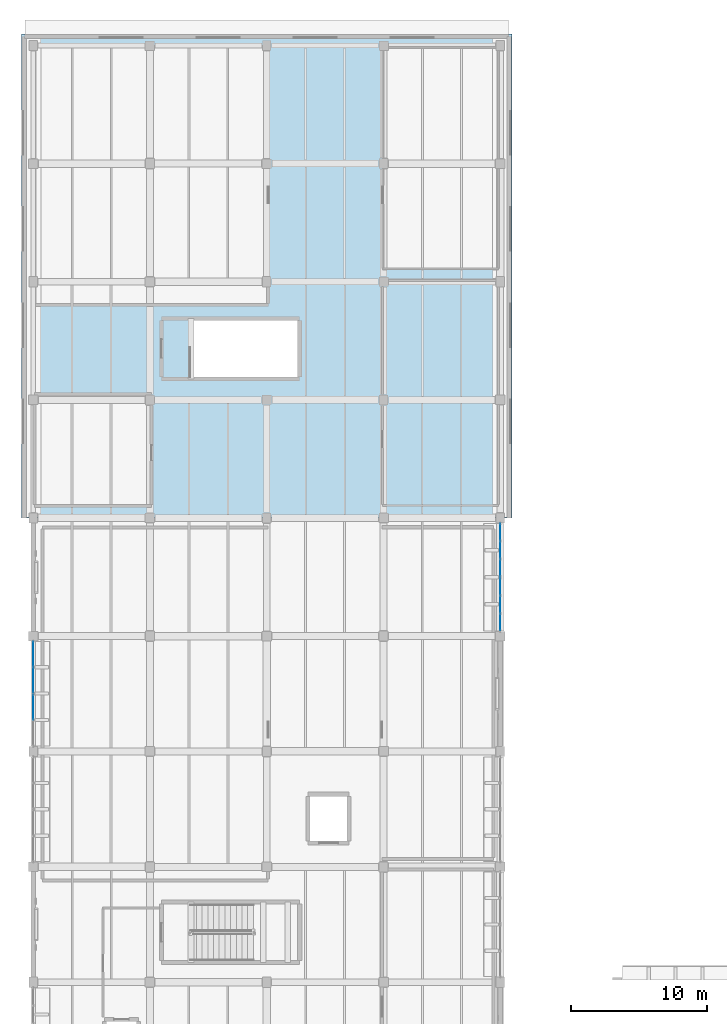
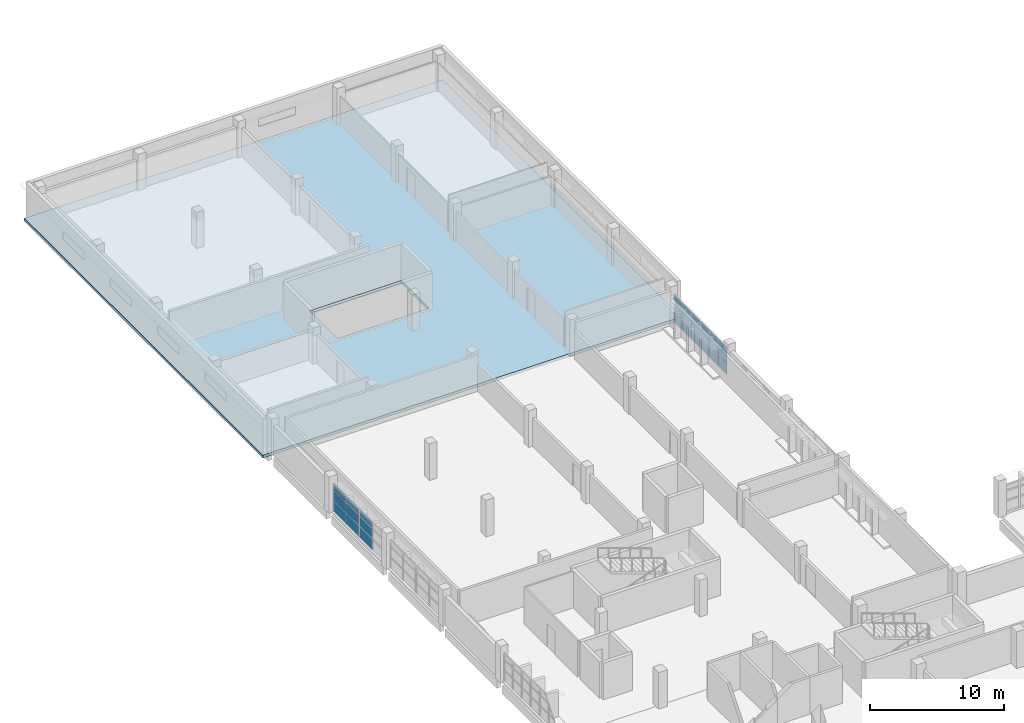
# One storey, part 51 of 75: 27 plates, 1 slab, 4 elements without a shape of their own.
"""IFC4 building model written with IfcOpenShell, lengths in metres."""

from ifc_helpers import new_model, si_unit, direction, frame, origin, origin_2d, place, context, subcontext, project, spatial, polyline, rectangle, outline, extrude, material, layer, layer_set, type_object, element, aggregate, save


model = new_model("IFC4")

# Units and contexts
model_context = context("Model", 3, precision=1e-05, world=origin(), true_north=direction((0.0, 1.0)))
body_context = subcontext(model_context, "Body", "Model", "MODEL_VIEW")
ifc_project = project(units=[si_unit("LENGTHUNIT", "METRE"), si_unit("AREAUNIT", "SQUARE_METRE"), si_unit("VOLUMEUNIT", "CUBIC_METRE"), si_unit("PLANEANGLEUNIT", "RADIAN"), si_unit("MASSUNIT", "GRAM", prefix="KILO")], contexts=[model_context])

# Site, building, storey
site_placement = place(None, origin())
site = spatial("IfcSite", under=ifc_project, at=site_placement, CompositionType="ELEMENT")
building_placement = place(site_placement, origin())
building = spatial("IfcBuilding", under=site, at=building_placement, Name="Varnakota Cinema and Media Centre", CompositionType="ELEMENT")
storey_placement = place(building_placement, frame((0.0, 0.0, 8.39990234375)))
storey = spatial("IfcBuildingStorey", under=building, at=storey_placement, Name="L02", CompositionType="ELEMENT", Elevation=8.39990234375)

# Curtain wall, plates
ifc_material_1 = material(Name="Thermally broken anodised aluminium AW-6063", Category="aluminium")
curtain_wall_type_1 = type_object("IfcCurtainWallType", Name="CW-STD-397x258", PredefinedType="USERDEFINED", material=ifc_material_1)
curtain_wall_1_placement = place(storey_placement, origin())
curtain_wall_1 = element("IfcCurtainWall", 1, at=curtain_wall_1_placement, inside=storey, type_object=curtain_wall_type_1, Name="L02 curtain wall CW-L02-V5-E-05-1", ObjectType="UNITISED CURTAIN WALL", PredefinedType="USERDEFINED")
ifc_material_2 = material(Name="Laminated solar-control double glazing", Category="glass")
ifc_layer_1 = layer(ifc_material_2, 0.028076171875)
ifc_layer_set_1 = layer_set([ifc_layer_1], Name="Laminated solar-control double glazing")
plate_type = type_object("IfcPlateType", Name="CWP-DGU-28", PredefinedType="CURTAIN_PANEL", material=ifc_layer_set_1)
plate_1_placement = place(storey_placement, frame((34.39990234375, 70.527587890625, 0.065185546875), z_axis=(0.0, 0.0, 1.0), x_axis=(0.0, 1.0, 0.0)))
plate_1 = element("IfcPlate", 2, at=plate_1_placement, type_object=plate_type, Name="CW38 panel 1.1", PredefinedType="CURTAIN_PANEL", context=body_context, shape_type="SweptSolid", body=[
    extrude(rectangle(XDim=1.22509765625, YDim=0.028076171875, at=origin_2d()), origin(), (0.0, 0.0, 1.0), 0.98388671875),
])
plate_2_placement = place(storey_placement, frame((34.39990234375, 70.527587890625, 1.1142578125), z_axis=(0.0, 0.0, 1.0), x_axis=(0.0, 1.0, 0.0)))
plate_2 = element("IfcPlate", 3, at=plate_2_placement, type_object=plate_type, Name="CW38 panel 1.2", PredefinedType="CURTAIN_PANEL", context=body_context, shape_type="SweptSolid", body=[
    extrude(rectangle(XDim=1.22509765625, YDim=0.028076171875, at=origin_2d()), origin(), (0.0, 0.0, 1.0), 0.862060546875),
])
plate_3_placement = place(storey_placement, frame((34.39990234375, 70.527587890625, 2.041015625), z_axis=(0.0, 0.0, 1.0), x_axis=(0.0, 1.0, 0.0)))
plate_3 = element("IfcPlate", 4, at=plate_3_placement, type_object=plate_type, Name="CW38 panel 1.3", PredefinedType="CURTAIN_PANEL", context=body_context, shape_type="SweptSolid", body=[
    extrude(rectangle(XDim=1.22509765625, YDim=0.028076171875, at=origin_2d()), origin(), (0.0, 0.0, 1.0), 0.468994140625),
])
plate_4_placement = place(storey_placement, frame((34.39990234375, 71.833740234375, 0.065185546875), z_axis=(0.0, 0.0, 1.0), x_axis=(0.0, 1.0, 0.0)))
plate_4 = element("IfcPlate", 5, at=plate_4_placement, type_object=plate_type, Name="CW38 panel 2.1", PredefinedType="CURTAIN_PANEL", context=body_context, shape_type="SweptSolid", body=[
    extrude(rectangle(XDim=1.257568359375, YDim=0.028076171875, at=origin_2d()), origin(), (0.0, 0.0, 1.0), 0.98388671875),
])
plate_5_placement = place(storey_placement, frame((34.39990234375, 71.833740234375, 1.1142578125), z_axis=(0.0, 0.0, 1.0), x_axis=(0.0, 1.0, 0.0)))
plate_5 = element("IfcPlate", 6, at=plate_5_placement, type_object=plate_type, Name="CW38 panel 2.2", PredefinedType="CURTAIN_PANEL", context=body_context, shape_type="SweptSolid", body=[
    extrude(rectangle(XDim=1.257568359375, YDim=0.028076171875, at=origin_2d()), origin(), (0.0, 0.0, 1.0), 0.862060546875),
])
plate_6_placement = place(storey_placement, frame((34.39990234375, 71.833740234375, 2.041015625), z_axis=(0.0, 0.0, 1.0), x_axis=(0.0, 1.0, 0.0)))
plate_6 = element("IfcPlate", 7, at=plate_6_placement, type_object=plate_type, Name="CW38 panel 2.3", PredefinedType="CURTAIN_PANEL", context=body_context, shape_type="SweptSolid", body=[
    extrude(rectangle(XDim=1.257568359375, YDim=0.028076171875, at=origin_2d()), origin(), (0.0, 0.0, 1.0), 0.468994140625),
])
plate_7_placement = place(storey_placement, frame((34.39990234375, 73.139892578125, 0.065185546875), z_axis=(0.0, 0.0, 1.0), x_axis=(0.0, 1.0, 0.0)))
plate_7 = element("IfcPlate", 8, at=plate_7_placement, type_object=plate_type, Name="CW38 panel 3.1", PredefinedType="CURTAIN_PANEL", context=body_context, shape_type="SweptSolid", body=[
    extrude(rectangle(XDim=1.22509765625, YDim=0.028076171875, at=origin_2d()), origin(), (0.0, 0.0, 1.0), 0.98388671875),
])
plate_8_placement = place(storey_placement, frame((34.39990234375, 73.139892578125, 1.1142578125), z_axis=(0.0, 0.0, 1.0), x_axis=(0.0, 1.0, 0.0)))
plate_8 = element("IfcPlate", 9, at=plate_8_placement, type_object=plate_type, Name="CW38 panel 3.2", PredefinedType="CURTAIN_PANEL", context=body_context, shape_type="SweptSolid", body=[
    extrude(rectangle(XDim=1.22509765625, YDim=0.028076171875, at=origin_2d()), origin(), (0.0, 0.0, 1.0), 0.862060546875),
])
plate_9_placement = place(storey_placement, frame((34.39990234375, 73.139892578125, 2.041015625), z_axis=(0.0, 0.0, 1.0), x_axis=(0.0, 1.0, 0.0)))
plate_9 = element("IfcPlate", 10, at=plate_9_placement, type_object=plate_type, Name="CW38 panel 3.3", PredefinedType="CURTAIN_PANEL", context=body_context, shape_type="SweptSolid", body=[
    extrude(rectangle(XDim=1.22509765625, YDim=0.028076171875, at=origin_2d()), origin(), (0.0, 0.0, 1.0), 0.468994140625),
])
aggregate(curtain_wall_1, [plate_1, plate_2, plate_3, plate_4, plate_5, plate_6, plate_7, plate_8, plate_9])

curtain_wall_2_placement = place(storey_placement, origin())
curtain_wall_2 = element("IfcCurtainWall", 11, at=curtain_wall_2_placement, inside=storey, type_object=curtain_wall_type_1, Name="L02 curtain wall CW-L02-V5-E-05-2", ObjectType="UNITISED CURTAIN WALL", PredefinedType="USERDEFINED")
plate_10_placement = place(storey_placement, frame((34.39990234375, 74.534912109375, 0.065185546875), z_axis=(0.0, 0.0, 1.0), x_axis=(0.0, 1.0, 0.0)))
plate_10 = element("IfcPlate", 12, at=plate_10_placement, type_object=plate_type, Name="CW38 panel 1.1", PredefinedType="CURTAIN_PANEL", context=body_context, shape_type="SweptSolid", body=[
    extrude(rectangle(XDim=1.22509765625, YDim=0.028076171875, at=origin_2d()), origin(), (0.0, 0.0, 1.0), 0.98388671875),
])
plate_11_placement = place(storey_placement, frame((34.39990234375, 74.534912109375, 1.1142578125), z_axis=(0.0, 0.0, 1.0), x_axis=(0.0, 1.0, 0.0)))
plate_11 = element("IfcPlate", 13, at=plate_11_placement, type_object=plate_type, Name="CW38 panel 1.2", PredefinedType="CURTAIN_PANEL", context=body_context, shape_type="SweptSolid", body=[
    extrude(rectangle(XDim=1.22509765625, YDim=0.028076171875, at=origin_2d()), origin(), (0.0, 0.0, 1.0), 0.862060546875),
])
plate_12_placement = place(storey_placement, frame((34.39990234375, 74.534912109375, 2.041015625), z_axis=(0.0, 0.0, 1.0), x_axis=(0.0, 1.0, 0.0)))
plate_12 = element("IfcPlate", 14, at=plate_12_placement, type_object=plate_type, Name="CW38 panel 1.3", PredefinedType="CURTAIN_PANEL", context=body_context, shape_type="SweptSolid", body=[
    extrude(rectangle(XDim=1.22509765625, YDim=0.028076171875, at=origin_2d()), origin(), (0.0, 0.0, 1.0), 0.468994140625),
])
plate_13_placement = place(storey_placement, frame((34.39990234375, 75.84130859375, 0.065185546875), z_axis=(0.0, 0.0, 1.0), x_axis=(0.0, 1.0, 0.0)))
plate_13 = element("IfcPlate", 15, at=plate_13_placement, type_object=plate_type, Name="CW38 panel 2.1", PredefinedType="CURTAIN_PANEL", context=body_context, shape_type="SweptSolid", body=[
    extrude(rectangle(XDim=1.257568359375, YDim=0.028076171875, at=origin_2d()), origin(), (0.0, 0.0, 1.0), 0.98388671875),
])
plate_14_placement = place(storey_placement, frame((34.39990234375, 75.84130859375, 1.1142578125), z_axis=(0.0, 0.0, 1.0), x_axis=(0.0, 1.0, 0.0)))
plate_14 = element("IfcPlate", 16, at=plate_14_placement, type_object=plate_type, Name="CW38 panel 2.2", PredefinedType="CURTAIN_PANEL", context=body_context, shape_type="SweptSolid", body=[
    extrude(rectangle(XDim=1.257568359375, YDim=0.028076171875, at=origin_2d()), origin(), (0.0, 0.0, 1.0), 0.862060546875),
])
plate_15_placement = place(storey_placement, frame((34.39990234375, 75.84130859375, 2.041015625), z_axis=(0.0, 0.0, 1.0), x_axis=(0.0, 1.0, 0.0)))
plate_15 = element("IfcPlate", 17, at=plate_15_placement, type_object=plate_type, Name="CW38 panel 2.3", PredefinedType="CURTAIN_PANEL", context=body_context, shape_type="SweptSolid", body=[
    extrude(rectangle(XDim=1.257568359375, YDim=0.028076171875, at=origin_2d()), origin(), (0.0, 0.0, 1.0), 0.468994140625),
])
plate_16_placement = place(storey_placement, frame((34.39990234375, 77.1474609375, 0.065185546875), z_axis=(0.0, 0.0, 1.0), x_axis=(0.0, 1.0, 0.0)))
plate_16 = element("IfcPlate", 18, at=plate_16_placement, type_object=plate_type, Name="CW38 panel 3.1", PredefinedType="CURTAIN_PANEL", context=body_context, shape_type="SweptSolid", body=[
    extrude(rectangle(XDim=1.22509765625, YDim=0.028076171875, at=origin_2d()), origin(), (0.0, 0.0, 1.0), 0.98388671875),
])
plate_17_placement = place(storey_placement, frame((34.39990234375, 77.1474609375, 1.1142578125), z_axis=(0.0, 0.0, 1.0), x_axis=(0.0, 1.0, 0.0)))
plate_17 = element("IfcPlate", 19, at=plate_17_placement, type_object=plate_type, Name="CW38 panel 3.2", PredefinedType="CURTAIN_PANEL", context=body_context, shape_type="SweptSolid", body=[
    extrude(rectangle(XDim=1.22509765625, YDim=0.028076171875, at=origin_2d()), origin(), (0.0, 0.0, 1.0), 0.862060546875),
])
plate_18_placement = place(storey_placement, frame((34.39990234375, 77.1474609375, 2.041015625), z_axis=(0.0, 0.0, 1.0), x_axis=(0.0, 1.0, 0.0)))
plate_18 = element("IfcPlate", 20, at=plate_18_placement, type_object=plate_type, Name="CW38 panel 3.3", PredefinedType="CURTAIN_PANEL", context=body_context, shape_type="SweptSolid", body=[
    extrude(rectangle(XDim=1.22509765625, YDim=0.028076171875, at=origin_2d()), origin(), (0.0, 0.0, 1.0), 0.468994140625),
])
aggregate(curtain_wall_2, [plate_10, plate_11, plate_12, plate_13, plate_14, plate_15, plate_16, plate_17, plate_18])

ifc_material_3 = material(Name="Thermally broken anodised aluminium AW-6063", Category="aluminium")
curtain_wall_type_2 = type_object("IfcCurtainWallType", Name="CW-STD-387x268", PredefinedType="USERDEFINED", material=ifc_material_3)
curtain_wall_3_placement = place(storey_placement, origin())
curtain_wall_3 = element("IfcCurtainWall", 21, at=curtain_wall_3_placement, inside=storey, type_object=curtain_wall_type_2, Name="L02 curtain wall CW-L02-V5-W-02-1", ObjectType="UNITISED CURTAIN WALL", PredefinedType="USERDEFINED")
plate_19_placement = place(storey_placement, frame((0.0, 68.1669921875, 0.065185546875), z_axis=(0.0, 0.0, 1.0), x_axis=(0.0, -1.0, 0.0)))
plate_19 = element("IfcPlate", 22, at=plate_19_placement, type_object=plate_type, Name="CW39 panel 1.1", PredefinedType="CURTAIN_PANEL", context=body_context, shape_type="SweptSolid", body=[
    extrude(rectangle(XDim=1.836181640625, YDim=0.028076171875, at=origin_2d()), origin(), (0.0, 0.0, 1.0), 1.02587890625),
])
plate_20_placement = place(storey_placement, frame((0.0, 68.1669921875, 1.156005859375), z_axis=(0.0, 0.0, 1.0), x_axis=(0.0, -1.0, 0.0)))
plate_20 = element("IfcPlate", 23, at=plate_20_placement, type_object=plate_type, Name="CW39 panel 1.2", PredefinedType="CURTAIN_PANEL", context=body_context, shape_type="SweptSolid", body=[
    extrude(rectangle(XDim=1.836181640625, YDim=0.028076171875, at=origin_2d()), origin(), (0.0, 0.0, 1.0), 0.89794921875),
])
plate_21_placement = place(storey_placement, frame((0.0, 68.1669921875, 2.119140625), z_axis=(0.0, 0.0, 1.0), x_axis=(0.0, -1.0, 0.0)))
plate_21 = element("IfcPlate", 24, at=plate_21_placement, type_object=plate_type, Name="CW39 panel 1.3", PredefinedType="CURTAIN_PANEL", context=body_context, shape_type="SweptSolid", body=[
    extrude(rectangle(XDim=1.836181640625, YDim=0.028076171875, at=origin_2d()), origin(), (0.0, 0.0, 1.0), 0.490966796875),
])
plate_22_placement = place(storey_placement, frame((0.0, 66.265625, 0.065185546875), z_axis=(0.0, 0.0, 1.0), x_axis=(0.0, -1.0, 0.0)))
plate_22 = element("IfcPlate", 25, at=plate_22_placement, type_object=plate_type, Name="CW39 panel 2.1", PredefinedType="CURTAIN_PANEL", context=body_context, shape_type="SweptSolid", body=[
    extrude(rectangle(XDim=1.836181640625, YDim=0.028076171875, at=origin_2d()), origin(), (0.0, 0.0, 1.0), 1.02587890625),
])
plate_23_placement = place(storey_placement, frame((0.0, 66.265625, 1.156005859375), z_axis=(0.0, 0.0, 1.0), x_axis=(0.0, -1.0, 0.0)))
plate_23 = element("IfcPlate", 26, at=plate_23_placement, type_object=plate_type, Name="CW39 panel 2.2", PredefinedType="CURTAIN_PANEL", context=body_context, shape_type="SweptSolid", body=[
    extrude(rectangle(XDim=1.836181640625, YDim=0.028076171875, at=origin_2d()), origin(), (0.0, 0.0, 1.0), 0.89794921875),
])
plate_24_placement = place(storey_placement, frame((0.0, 66.265625, 2.119140625), z_axis=(0.0, 0.0, 1.0), x_axis=(0.0, -1.0, 0.0)))
plate_24 = element("IfcPlate", 27, at=plate_24_placement, type_object=plate_type, Name="CW39 panel 2.3", PredefinedType="CURTAIN_PANEL", context=body_context, shape_type="SweptSolid", body=[
    extrude(rectangle(XDim=1.836181640625, YDim=0.028076171875, at=origin_2d()), origin(), (0.0, 0.0, 1.0), 0.490966796875),
])
aggregate(curtain_wall_3, [plate_19, plate_20, plate_21, plate_22, plate_23, plate_24])

curtain_wall_4_placement = place(storey_placement, origin())
curtain_wall_4 = element("IfcCurtainWall", 28, at=curtain_wall_4_placement, inside=storey, type_object=curtain_wall_type_2, Name="L02 curtain wall CW-L02-V5-W-02-2", ObjectType="UNITISED CURTAIN WALL", PredefinedType="USERDEFINED")
plate_25_placement = place(storey_placement, frame((0.0, 64.25927734375, 0.065185546875), z_axis=(0.0, 0.0, 1.0), x_axis=(0.0, -1.0, 0.0)))
plate_25 = element("IfcPlate", 29, at=plate_25_placement, type_object=plate_type, Name="CW39 panel 1.1", PredefinedType="CURTAIN_PANEL", context=body_context, shape_type="SweptSolid", body=[
    extrude(rectangle(XDim=1.836181640625, YDim=0.028076171875, at=origin_2d()), origin(), (0.0, 0.0, 1.0), 1.02587890625),
])
plate_26_placement = place(storey_placement, frame((0.0, 64.25927734375, 1.156005859375), z_axis=(0.0, 0.0, 1.0), x_axis=(0.0, -1.0, 0.0)))
plate_26 = element("IfcPlate", 30, at=plate_26_placement, type_object=plate_type, Name="CW39 panel 1.2", PredefinedType="CURTAIN_PANEL", context=body_context, shape_type="SweptSolid", body=[
    extrude(rectangle(XDim=1.836181640625, YDim=0.028076171875, at=origin_2d()), origin(), (0.0, 0.0, 1.0), 0.89794921875),
])
plate_27_placement = place(storey_placement, frame((0.0, 64.25927734375, 2.119140625), z_axis=(0.0, 0.0, 1.0), x_axis=(0.0, -1.0, 0.0)))
plate_27 = element("IfcPlate", 31, at=plate_27_placement, type_object=plate_type, Name="CW39 panel 1.3", PredefinedType="CURTAIN_PANEL", context=body_context, shape_type="SweptSolid", body=[
    extrude(rectangle(XDim=1.836181640625, YDim=0.028076171875, at=origin_2d()), origin(), (0.0, 0.0, 1.0), 0.490966796875),
])
aggregate(curtain_wall_4, [plate_25, plate_26, plate_27])

# Slab
ifc_material_4 = material(Name="Concrete M35", Category="concrete")
ifc_layer_2 = layer(ifc_material_4, 0.25)
ifc_layer_set_2 = layer_set([ifc_layer_2], Name="Concrete M35")
slab_type = type_object("IfcSlabType", Name="SLB-FLR-250", PredefinedType="FLOOR", material=ifc_layer_set_2)
slab_placement = place(storey_placement, frame((0.0, 0.0, -0.25)))
element("IfcSlab", 32, at=slab_placement, inside=storey, type_object=slab_type, Name="L02 V7 floor slab", PredefinedType="FLOOR", context=body_context, shape_type="SweptSolid", body=[
    extrude(outline(polyline([(-0.85009765625, 78.199951171875), (35.25, 78.199951171875), (35.25, 113.85009765625), (-0.85009765625, 113.85009765625), (-0.85009765625, 78.199951171875)]), holes=[polyline([(11.60009765625, 88.60009765625), (19.47998046875, 88.60009765625), (19.47998046875, 92.75), (11.60009765625, 92.75), (11.60009765625, 88.60009765625)])]), origin(), (0.0, 0.0, 1.0), 0.25),
])

save(model, "model.ifc")
